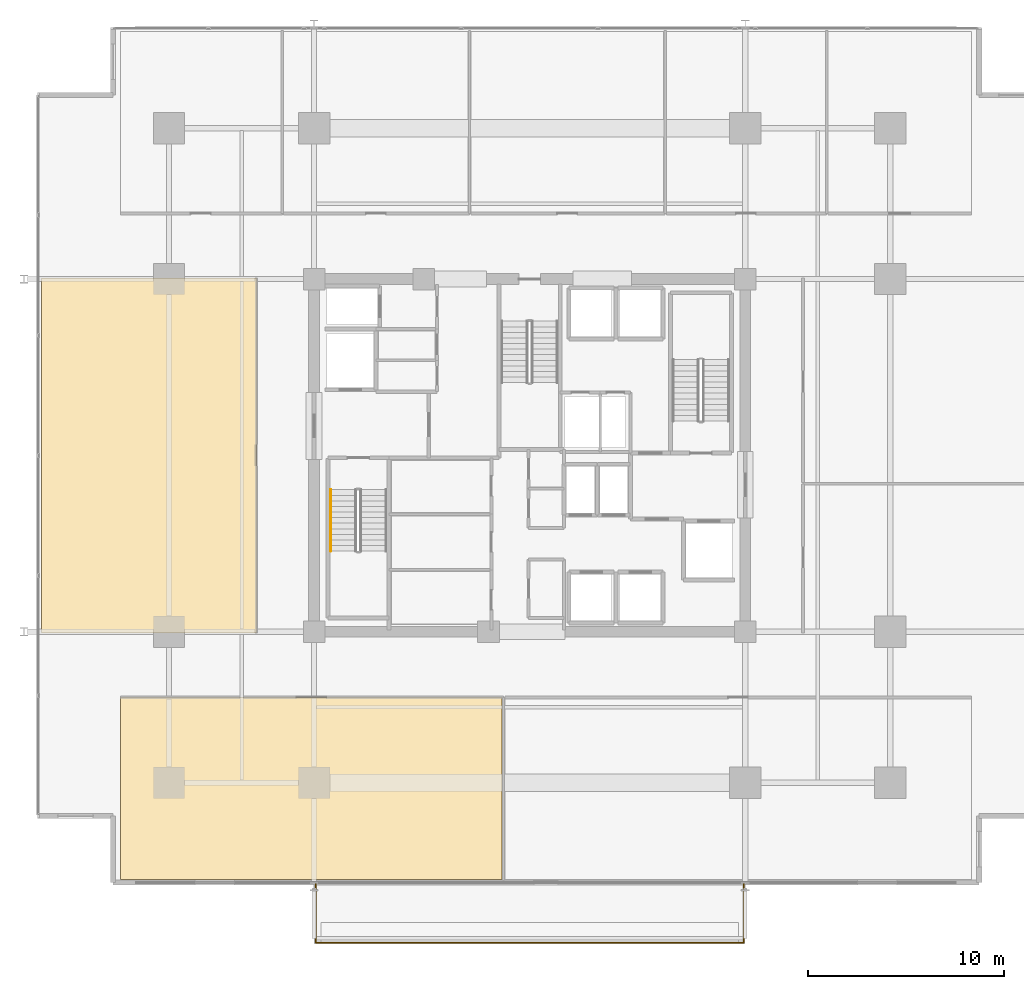
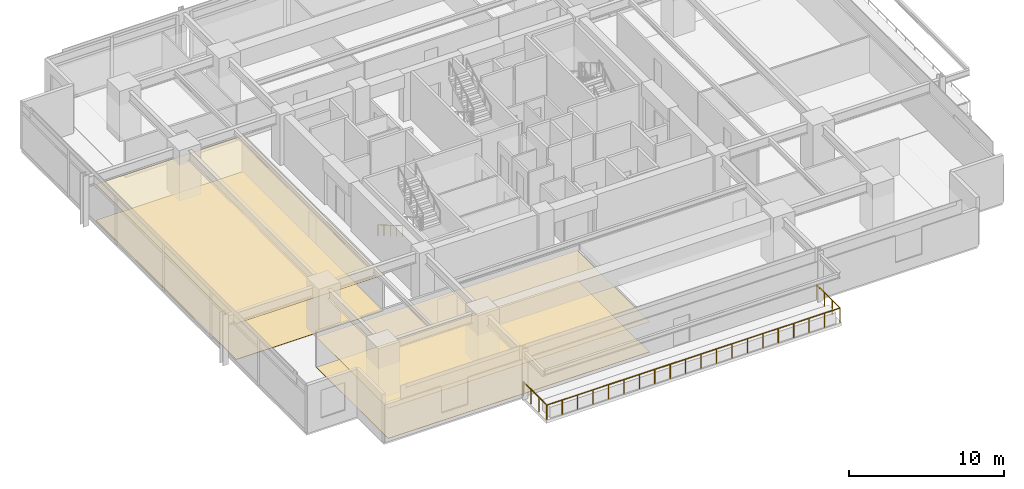
# One storey, part 17 of 21: 4 coverings, 2 railings.
"""IFC4 building model written with IfcOpenShell, lengths in metres."""

from ifc_helpers import new_model, si_unit, direction, frame, origin, origin_2d, place, context, subcontext, project, spatial, polyline, circle, outline, extrude, material, layer, layer_set, type_object, element, save


model = new_model("IFC4")

# Units and contexts
model_context = context("Model", 3, precision=1e-05, world=origin(), true_north=direction((0.0, 1.0)))
body_context = subcontext(model_context, "Body", "Model", "MODEL_VIEW")
ifc_project = project(units=[si_unit("LENGTHUNIT", "METRE"), si_unit("AREAUNIT", "SQUARE_METRE"), si_unit("VOLUMEUNIT", "CUBIC_METRE"), si_unit("PLANEANGLEUNIT", "RADIAN"), si_unit("MASSUNIT", "GRAM", prefix="KILO")], contexts=[model_context])

# Site, building, storey
site_placement = place(None, origin())
site = spatial("IfcSite", under=ifc_project, at=site_placement, CompositionType="ELEMENT")
building_placement = place(site_placement, origin())
building = spatial("IfcBuilding", under=site, at=building_placement, Name="Kovane Verandah Tower", CompositionType="ELEMENT")
storey_placement = place(building_placement, frame((0.0, 0.0, 172.39990234375)))
storey = spatial("IfcBuildingStorey", under=building, at=storey_placement, Name="L40", CompositionType="ELEMENT", Elevation=172.39990234375)

# Coverings
ifc_material_1 = material(Name="Perforated Acoustic Mineral-Fibre Ceiling Tile", Category="gypsum")
ifc_layer_1 = layer(ifc_material_1, 0.02490234375)
ifc_layer_set_1 = layer_set([ifc_layer_1], Name="Perforated Acoustic Mineral-Fibre Ceiling Tile")
covering_type_1 = type_object("IfcCoveringType", Name="CV-CEIL-25", PredefinedType="CEILING", material=ifc_layer_set_1)
covering_1_placement = place(storey_placement, frame((0.0, 0.0, 2.380126953125)))
element("IfcCovering", 1, at=covering_1_placement, inside=storey, type_object=covering_type_1, Name="L40 Client Boardroom S1 Acoustic Ceiling", PredefinedType="CEILING", context=body_context, shape_type="SweptSolid", body=[
    extrude(outline(polyline([(19.129638671875, 5.860595703125), (38.59375, 5.860595703125), (38.59375, 15.14990234375), (19.129638671875, 15.14990234375), (19.129638671875, 5.860595703125)])), origin(), (0.0, 0.0, 1.0), 0.02490234375),
])
covering_2_placement = place(storey_placement, frame((0.0, 0.0, 2.8251953125)))
element("IfcCovering", 2, at=covering_2_placement, inside=storey, type_object=covering_type_1, Name="L40 Focus Studio W1 Acoustic Ceiling", PredefinedType="CEILING", context=body_context, shape_type="SweptSolid", body=[
    extrude(outline(polyline([(15.07958984375, 18.449951171875), (26.050048828125, 18.449951171875), (26.050048828125, 36.550048828125), (15.07958984375, 36.550048828125), (15.07958984375, 18.449951171875)])), origin(), (0.0, 0.0, 1.0), 0.02490234375),
])
ifc_material_2 = material(Name="Polished Terrazzo and Raised-Access Carpet Tile Finish", Category="concrete")
ifc_layer_2 = layer(ifc_material_2, 0.030029296875)
ifc_layer_set_2 = layer_set([ifc_layer_2], Name="Polished Terrazzo and Raised-Access Carpet Tile Finish")
covering_type_2 = type_object("IfcCoveringType", Name="CV-FLOR-30", PredefinedType="FLOORING", material=ifc_layer_set_2)
covering_3_placement = place(storey_placement, origin())
element("IfcCovering", 3, at=covering_3_placement, inside=storey, type_object=covering_type_2, Name="L40 Client Boardroom S1 Floor Finish", PredefinedType="FLOORING", context=body_context, shape_type="SweptSolid", body=[
    extrude(outline(polyline([(19.129638671875, 5.860595703125), (38.59375, 5.860595703125), (38.59375, 15.14990234375), (19.129638671875, 15.14990234375), (19.129638671875, 5.860595703125)])), origin(), (0.0, 0.0, 1.0), 0.030029296875),
])
covering_4_placement = place(storey_placement, origin())
element("IfcCovering", 4, at=covering_4_placement, inside=storey, type_object=covering_type_2, Name="L40 Focus Studio W1 Floor Finish", PredefinedType="FLOORING", context=body_context, shape_type="SweptSolid", body=[
    extrude(outline(polyline([(15.07958984375, 18.449951171875), (26.050048828125, 18.449951171875), (26.050048828125, 36.550048828125), (15.07958984375, 36.550048828125), (15.07958984375, 18.449951171875)])), origin(), (0.0, 0.0, 1.0), 0.030029296875),
])

# Railings
ifc_material_3 = material(Name="Laminated Glass and Pale-Champagne Stainless Balustrade", Category="glass")
railing_type_1 = type_object("IfcRailingType", Name="RL-BAL-1150", PredefinedType="BALUSTRADE", material=ifc_material_3)
railing_1_placement = place(storey_placement, frame((29.080078125, 5.66064453125, 0.0)))
element("IfcRailing", 5, at=railing_1_placement, inside=storey, type_object=railing_type_1, Name="L40 S Verandah Glass Balustrade", PredefinedType="BALUSTRADE", context=body_context, shape_type="SweptSolid", body=[
    extrude(circle(Radius=0.02392578125, at=origin_2d()), frame((0.0, 0.0, 1.1259765625), z_axis=(0.0, -1.0, 0.0), x_axis=(1.0, 0.0, 0.0)), (0.0, 0.0, 1.0), 3.02001953125),
    extrude(circle(Radius=0.02392578125, at=origin_2d()), frame((0.0, -3.02001953125, 1.1259765625), z_axis=(1.0, 0.0, 0.0), x_axis=(0.0, 1.0, 0.0)), (0.0, 0.0, 1.0), 21.83984375),
    extrude(circle(Radius=0.02392578125, at=origin_2d()), frame((21.83984375, -3.02001953125, 1.1259765625), z_axis=(0.0, 1.0, 0.0), x_axis=(-1.0, 0.0, 0.0)), (0.0, 0.0, 1.0), 3.02001953125),
    extrude(circle(Radius=0.02099609375, at=origin_2d()), origin(), (0.0, 0.0, 1.0), 1.101806640625),
    extrude(circle(Radius=0.02099609375, at=origin_2d()), frame((0.0, -1.006591796875, 0.0)), (0.0, 0.0, 1.0), 1.101806640625),
    extrude(circle(Radius=0.02099609375, at=origin_2d()), frame((0.0, -2.013427734375, 0.0)), (0.0, 0.0, 1.0), 1.101806640625),
    extrude(circle(Radius=0.02099609375, at=origin_2d()), frame((0.0, -3.02001953125, 0.0)), (0.0, 0.0, 1.0), 1.101806640625),
    extrude(circle(Radius=0.02099609375, at=origin_2d()), frame((1.1494140625, -3.02001953125, 0.0)), (0.0, 0.0, 1.0), 1.101806640625),
    extrude(circle(Radius=0.02099609375, at=origin_2d()), frame((2.298828125, -3.02001953125, 0.0)), (0.0, 0.0, 1.0), 1.101806640625),
    extrude(circle(Radius=0.02099609375, at=origin_2d()), frame((3.448486328125, -3.02001953125, 0.0)), (0.0, 0.0, 1.0), 1.101806640625),
    extrude(circle(Radius=0.02099609375, at=origin_2d()), frame((4.597900390625, -3.02001953125, 0.0)), (0.0, 0.0, 1.0), 1.101806640625),
    extrude(circle(Radius=0.02099609375, at=origin_2d()), frame((5.747314453125, -3.02001953125, 0.0)), (0.0, 0.0, 1.0), 1.101806640625),
    extrude(circle(Radius=0.02099609375, at=origin_2d()), frame((6.896728515625, -3.02001953125, 0.0)), (0.0, 0.0, 1.0), 1.101806640625),
    extrude(circle(Radius=0.02099609375, at=origin_2d()), frame((8.046142578125, -3.02001953125, 0.0)), (0.0, 0.0, 1.0), 1.101806640625),
    extrude(circle(Radius=0.02099609375, at=origin_2d()), frame((9.19580078125, -3.02001953125, 0.0)), (0.0, 0.0, 1.0), 1.101806640625),
    extrude(circle(Radius=0.02099609375, at=origin_2d()), frame((10.34521484375, -3.02001953125, 0.0)), (0.0, 0.0, 1.0), 1.101806640625),
    extrude(circle(Radius=0.02099609375, at=origin_2d()), frame((11.49462890625, -3.02001953125, 0.0)), (0.0, 0.0, 1.0), 1.101806640625),
    extrude(circle(Radius=0.02099609375, at=origin_2d()), frame((12.64404296875, -3.02001953125, 0.0)), (0.0, 0.0, 1.0), 1.101806640625),
    extrude(circle(Radius=0.02099609375, at=origin_2d()), frame((13.793701171875, -3.02001953125, 0.0)), (0.0, 0.0, 1.0), 1.101806640625),
    extrude(circle(Radius=0.02099609375, at=origin_2d()), frame((14.943115234375, -3.02001953125, 0.0)), (0.0, 0.0, 1.0), 1.101806640625),
    extrude(circle(Radius=0.02099609375, at=origin_2d()), frame((16.092529296875, -3.02001953125, 0.0)), (0.0, 0.0, 1.0), 1.101806640625),
    extrude(circle(Radius=0.02099609375, at=origin_2d()), frame((17.241943359375, -3.02001953125, 0.0)), (0.0, 0.0, 1.0), 1.101806640625),
    extrude(circle(Radius=0.02099609375, at=origin_2d()), frame((18.391357421875, -3.02001953125, 0.0)), (0.0, 0.0, 1.0), 1.101806640625),
    extrude(circle(Radius=0.02099609375, at=origin_2d()), frame((19.541015625, -3.02001953125, 0.0)), (0.0, 0.0, 1.0), 1.101806640625),
    extrude(circle(Radius=0.02099609375, at=origin_2d()), frame((20.6904296875, -3.02001953125, 0.0)), (0.0, 0.0, 1.0), 1.101806640625),
    extrude(circle(Radius=0.02099609375, at=origin_2d()), frame((21.83984375, -3.02001953125, 0.0)), (0.0, 0.0, 1.0), 1.101806640625),
    extrude(circle(Radius=0.02099609375, at=origin_2d()), frame((21.83984375, -2.013427734375, 0.0)), (0.0, 0.0, 1.0), 1.101806640625),
    extrude(circle(Radius=0.02099609375, at=origin_2d()), frame((21.83984375, -1.006591796875, 0.0)), (0.0, 0.0, 1.0), 1.101806640625),
    extrude(circle(Radius=0.02099609375, at=origin_2d()), frame((21.83984375, 0.0, 0.0)), (0.0, 0.0, 1.0), 1.101806640625),
])
ifc_material_4 = material(Name="Brushed Stainless Steel Handrail", Category="steel")
railing_type_2 = type_object("IfcRailingType", Name="RL-HAND-920", PredefinedType="HANDRAIL", material=ifc_material_4)
railing_2_placement = place(storey_placement, frame((29.85009765625, 25.75, 0.166748046875)))
element("IfcRailing", 6, at=railing_2_placement, inside=storey, type_object=railing_type_2, Name="L40 ST-01 stair handrail 1", PredefinedType="HANDRAIL", context=body_context, shape_type="SweptSolid", body=[
    extrude(circle(Radius=0.02392578125, at=origin_2d()), frame((0.0, 0.0, 0.8759765625), z_axis=(0.0, -0.863239559939, 0.504794475164), x_axis=(1.0, 0.0, 0.0)), (0.0, 0.0, 1.0), 3.631591796875),
    extrude(circle(Radius=0.02099609375, at=origin_2d()), origin(), (0.0, 0.0, 1.0), 0.851806640625),
    extrude(circle(Radius=0.02099609375, at=origin_2d()), frame((0.0, -0.78369140625, 0.458251953125)), (0.0, 0.0, 1.0), 0.851806640625),
    extrude(circle(Radius=0.02099609375, at=origin_2d()), frame((0.0, -1.5673828125, 0.91650390625)), (0.0, 0.0, 1.0), 0.851806640625),
    extrude(circle(Radius=0.02099609375, at=origin_2d()), frame((0.0, -2.351318359375, 1.375)), (0.0, 0.0, 1.0), 0.851806640625),
    extrude(circle(Radius=0.02099609375, at=origin_2d()), frame((0.0, -3.135009765625, 1.833251953125)), (0.0, 0.0, 1.0), 0.851806640625),
])

save(model, "model.ifc")
